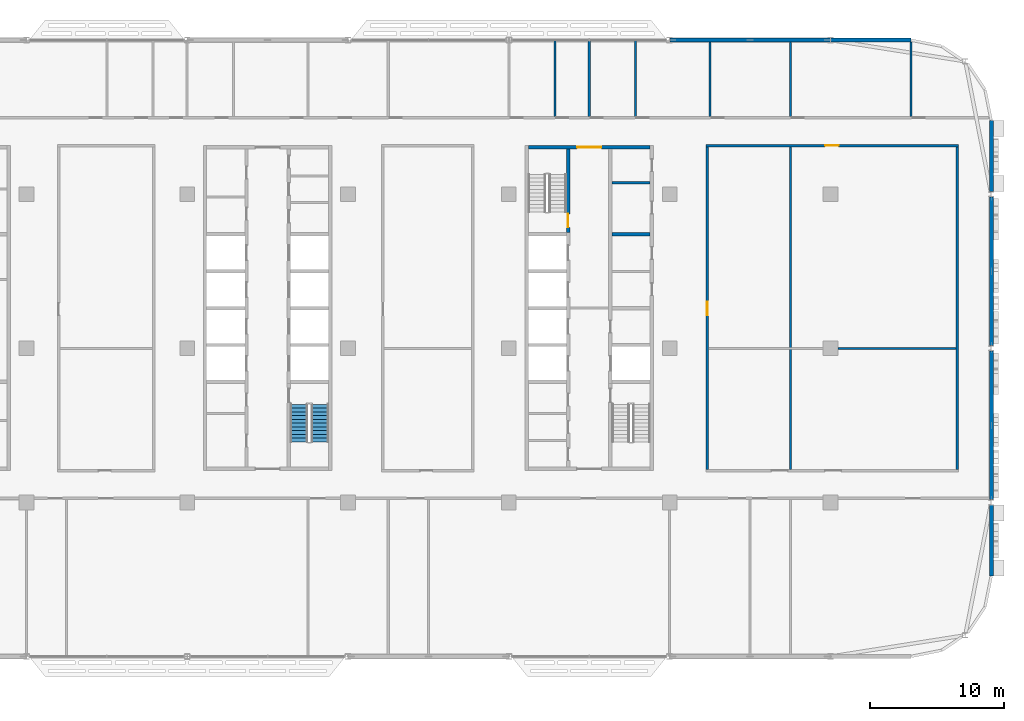
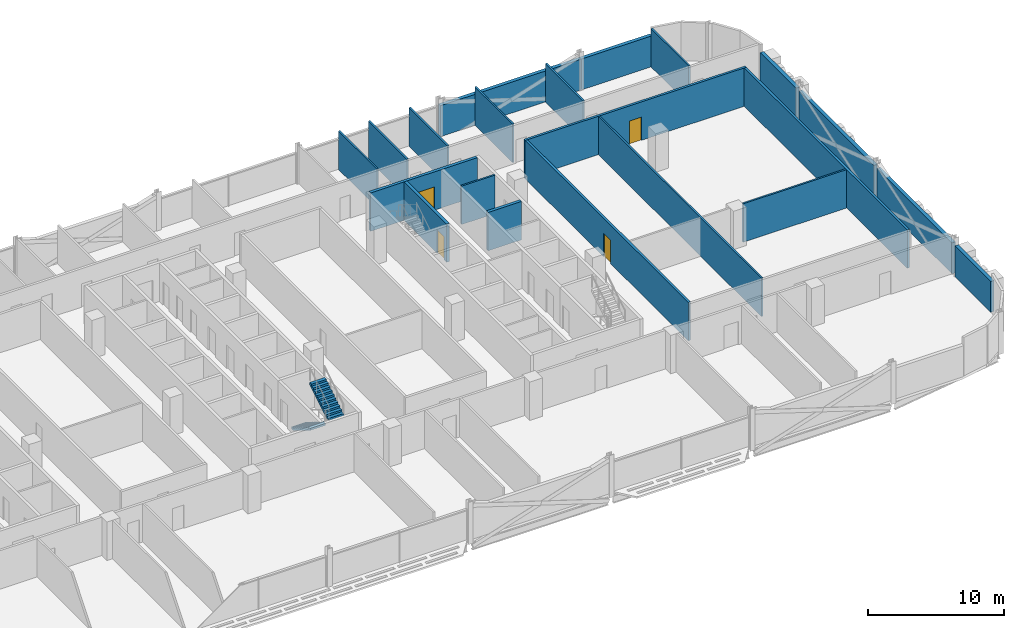
# One storey, part 18 of 30: 21 walls, 4 doors, 2 stair flights, 4 openings, 1 element without a shape of its own.
"""IFC4 building model written with IfcOpenShell, lengths in metres."""

from ifc_helpers import new_model, si_unit, direction, frame, frame_2d, origin, place, context, subcontext, project, spatial, polyline, rectangle, outline, extrude, material, layer, layer_set, type_object, element, fill, aggregate, save


model = new_model("IFC4")

# Units and contexts
model_context = context("Model", 3, precision=1e-05, world=origin(), true_north=direction((0.0, 1.0)))
body_context = subcontext(model_context, "Body", "Model", "MODEL_VIEW")
ifc_project = project(units=[si_unit("LENGTHUNIT", "METRE"), si_unit("AREAUNIT", "SQUARE_METRE"), si_unit("VOLUMEUNIT", "CUBIC_METRE"), si_unit("PLANEANGLEUNIT", "RADIAN"), si_unit("MASSUNIT", "GRAM", prefix="KILO")], contexts=[model_context])

# Site, building, storey
site_placement = place(None, origin())
site = spatial("IfcSite", under=ifc_project, at=site_placement, CompositionType="ELEMENT")
building_placement = place(site_placement, origin())
building = spatial("IfcBuilding", under=site, at=building_placement, Name="Mahtab Terrace Research Tower", CompositionType="ELEMENT")
storey_placement = place(building_placement, frame((0.0, 0.0, 216.699951171875)))
storey = spatial("IfcBuildingStorey", under=building, at=storey_placement, Name="L52", CompositionType="ELEMENT", Elevation=216.699951171875)

# Wall
ifc_material_1 = material(Name="Gypsum board partition")
ifc_layer_1 = layer(ifc_material_1, 0.14990234375)
ifc_layer_set_1 = layer_set([ifc_layer_1], Name="Core partition 150")
wall_type_1 = type_object("IfcWallType", Name="Core partition 150", PredefinedType="PARTITIONING", material=ifc_layer_set_1)
wall_1_placement = place(storey_placement, frame((25.699951171875, 12.35498046875, 0.0), z_axis=(0.0, 0.0, 1.0), x_axis=(1.0, 0.0, 0.0)))
element("IfcWall", 1, at=wall_1_placement, inside=storey, type_object=wall_type_1, Name="Core wall C pEN936", PredefinedType="PARTITIONING", context=body_context, shape_type="SweptSolid", body=[
    extrude(rectangle(XDim=2.85009765625, YDim=0.14990234375, at=frame_2d((1.425048828125, 0.0))), origin(), (0.0, 0.0, 1.0), 3.4599609375),
])

# Wall, opening, door
ifc_material_2 = material(Name="Concrete C70/85", Category="concrete")
ifc_layer_2 = layer(ifc_material_2, 0.25)
ifc_layer_set_2 = layer_set([ifc_layer_2], Name="Core wall 250")
wall_type_2 = type_object("IfcWallType", Name="Core wall 250", PredefinedType="SOLIDWALL", material=ifc_layer_set_2)
wall_2_placement = place(storey_placement, frame((19.449951171875, 15.0, 0.0), z_axis=(0.0, 0.0, 1.0), x_axis=(1.0, 0.0, 0.0)))
wall_2 = element("IfcWall", 2, at=wall_2_placement, inside=storey, type_object=wall_type_2, Name="Core wall C endN", PredefinedType="SOLIDWALL", context=body_context, shape_type="SweptSolid", body=[
    extrude(rectangle(XDim=9.10009765625, YDim=0.25, at=frame_2d((4.550048828125, 0.0))), origin(), (0.0, 0.0, 1.0), 3.4599609375),
])
opening_1_placement = place(wall_2_placement, frame((3.64990234375, 0.0, 0.0)))
opening_1 = element("IfcOpeningElement", 3, at=opening_1_placement, cuts=wall_2, Name="Opening C-N1", PredefinedType="OPENING", context=body_context, shape_type="SweptSolid", body=[
    extrude(rectangle(XDim=1.800048828125, YDim=2.10009765625, at=frame_2d((0.89990234375, 1.050048828125))), frame((0.0, 0.135009765625, 0.0), z_axis=(0.0, -1.0, 0.0), x_axis=(1.0, 0.0, 0.0)), (0.0, 0.0, 1.0), 0.27001953125),
])
ifc_material_3 = material(Name="Steel fire door", Category="steel")
door_type_1 = type_object("IfcDoorType", Name="Lobby double door 1800x2100 1 HR", OperationType="DOUBLE_DOOR_SINGLE_SWING", PredefinedType="DOOR", material=ifc_material_3)
door_1_placement = place(opening_1_placement, origin())
door_1 = element("IfcDoor", 4, at=door_1_placement, inside=storey, type_object=door_type_1, Name="Core entrance door C N", OperationType="DOUBLE_DOOR_SINGLE_SWING", OverallHeight=2.10009765625, OverallWidth=1.800048828125, PredefinedType="DOOR", context=body_context, shape_type="SweptSolid", body=[
    extrude(rectangle(XDim=1.800048828125, YDim=2.10009765625, at=frame_2d((0.89990234375, 1.050048828125))), frame((0.0, 0.02490234375, 0.0), z_axis=(0.0, -1.0, 0.0), x_axis=(1.0, 0.0, 0.0)), (0.0, 0.0, 1.0), 0.050048828125),
])
fill(opening_1, door_1)

wall_3_placement = place(storey_placement, frame((22.425048828125, 14.875, 0.0), z_axis=(0.0, 0.0, 1.0), x_axis=(0.0, -1.0, 0.0)))
wall_3 = element("IfcWall", 5, at=wall_3_placement, inside=storey, type_object=wall_type_2, Name="Core wall C innerWN", PredefinedType="SOLIDWALL", context=body_context, shape_type="SweptSolid", body=[
    extrude(rectangle(XDim=6.25, YDim=0.25, at=frame_2d((3.125, 0.0))), origin(), (0.0, 0.0, 1.0), 3.4599609375),
])
opening_2_placement = place(wall_3_placement, frame((4.85009765625, 0.0, 0.0)))
opening_2 = element("IfcOpeningElement", 6, at=opening_2_placement, cuts=wall_3, Name="Opening C-ST3", PredefinedType="OPENING", context=body_context, shape_type="SweptSolid", body=[
    extrude(rectangle(XDim=1.0, YDim=2.10009765625, at=frame_2d((0.5, 1.050048828125))), frame((0.0, 0.135009765625, 0.0), z_axis=(0.0, -1.0, 0.0), x_axis=(1.0, 0.0, 0.0)), (0.0, 0.0, 1.0), 0.27001953125),
])
door_type_2 = type_object("IfcDoorType", Name="Stair door 1000x2100 1.5 HR", OperationType="NOTDEFINED", PredefinedType="DOOR", material=ifc_material_3)
door_2_placement = place(opening_2_placement, origin())
door_2 = element("IfcDoor", 7, at=door_2_placement, inside=storey, type_object=door_type_2, Name="Stair door ST3 L52", OperationType="SINGLE_SWING_LEFT", OverallHeight=2.10009765625, OverallWidth=1.0, PredefinedType="DOOR", context=body_context, shape_type="SweptSolid", body=[
    extrude(rectangle(XDim=1.0, YDim=2.10009765625, at=frame_2d((0.5, 1.050048828125))), frame((0.0, 0.02490234375, 0.0), z_axis=(0.0, -1.0, 0.0), x_axis=(1.0, 0.0, 0.0)), (0.0, 0.0, 1.0), 0.050048828125),
])
fill(opening_2, door_2)

# Walls
wall_4_placement = place(storey_placement, frame((25.699951171875, 8.5, 0.0), z_axis=(0.0, 0.0, 1.0), x_axis=(1.0, 0.0, 0.0)))
element("IfcWall", 8, at=wall_4_placement, inside=storey, type_object=wall_type_2, Name="Core wall C divE4", PredefinedType="SOLIDWALL", context=body_context, shape_type="SweptSolid", body=[
    extrude(rectangle(XDim=2.85009765625, YDim=0.25, at=frame_2d((1.425048828125, 0.0))), origin(), (0.0, 0.0, 1.0), 3.4599609375),
])
ifc_material_4 = material(Name="Black aluminium cladding panel", Category="aluminium")
ifc_layer_3 = layer(ifc_material_4, 0.300048828125)
ifc_layer_set_3 = layer_set([ifc_layer_3], Name="Opaque facade wall 300")
wall_type_3 = type_object("IfcWallType", Name="Opaque facade wall 300", PredefinedType="NOTDEFINED", material=ifc_layer_set_3)
wall_5_placement = place(storey_placement, frame((48.0, 23.0, 0.0), z_axis=(0.0, 0.0, 1.0), x_axis=(-1.0, 0.0, 0.0)))
element("IfcWall", 9, at=wall_5_placement, inside=storey, type_object=wall_type_3, Name="Opaque facade wall L52 N3", PredefinedType="NOTDEFINED", context=body_context, shape_type="SweptSolid", body=[
    extrude(rectangle(XDim=5.987548828125, YDim=0.300048828125, at=frame_2d((2.99365234375, 0.0))), origin(), (0.0, 0.0, 1.0), 2.78173828125),
])
wall_6_placement = place(storey_placement, frame((41.987548828125, 23.0, 0.0), z_axis=(0.0, 0.0, 1.0), x_axis=(-1.0, 0.0, 0.0)))
element("IfcWall", 10, at=wall_6_placement, inside=storey, type_object=wall_type_3, Name="Opaque facade wall L52 N4", PredefinedType="NOTDEFINED", context=body_context, shape_type="SweptSolid", body=[
    extrude(rectangle(XDim=11.97509765625, YDim=0.300048828125, at=frame_2d((5.987548828125, 0.0))), origin(), (0.0, 0.0, 1.0), 2.78173828125),
])
wall_7_placement = place(storey_placement, frame((54.0, -17.0, 0.0), z_axis=(0.0, 0.0, 1.0), x_axis=(0.0, 1.0, 0.0)))
element("IfcWall", 11, at=wall_7_placement, inside=storey, type_object=wall_type_3, Name="Opaque facade wall L52 E35", PredefinedType="NOTDEFINED", context=body_context, shape_type="SweptSolid", body=[
    extrude(rectangle(XDim=5.300048828125, YDim=0.300048828125, at=frame_2d((2.64990234375, 0.0))), origin(), (0.0, 0.0, 1.0), 2.78173828125),
])
for number, where, z_axis, x_axis, name in (
    (12, (54.0, -11.300048828125, 0.0), (0.0, 0.0, 1.0), (0.0, 1.0, 0.0), "Opaque facade wall L52 E36"),
    (13, (54.0, 0.199951171875, 0.0), (0.0, 0.0, 1.0), (0.0, 1.0, 0.0), "Opaque facade wall L52 E37"),
):
    element("IfcWall", number, at=place(storey_placement, frame(where, z_axis=z_axis, x_axis=x_axis)), inside=storey, type_object=wall_type_3, Name=name, PredefinedType="NOTDEFINED", context=body_context, shape_type="SweptSolid", body=[
        extrude(rectangle(XDim=11.10009765625, YDim=0.300048828125, at=frame_2d((5.550048828125, 0.0))), origin(), (0.0, 0.0, 1.0), 2.78173828125),
    ])
wall_8_placement = place(storey_placement, frame((54.0, 11.699951171875, 0.0), z_axis=(0.0, 0.0, 1.0), x_axis=(0.0, 1.0, 0.0)))
element("IfcWall", 14, at=wall_8_placement, inside=storey, type_object=wall_type_3, Name="Opaque facade wall L52 E38", PredefinedType="NOTDEFINED", context=body_context, shape_type="SweptSolid", body=[
    extrude(rectangle(XDim=5.300048828125, YDim=0.300048828125, at=frame_2d((2.64990234375, 0.0))), origin(), (0.0, 0.0, 1.0), 2.78173828125),
])

# Wall, opening, door
ifc_material_5 = material(Name="Gypsum board corridor wall on steel studs", Category="steel")
ifc_layer_4 = layer(ifc_material_5, 0.199951171875)
ifc_layer_set_4 = layer_set([ifc_layer_4], Name="WALL CORRIDOR 200")
wall_type_4 = type_object("IfcWallType", Name="WALL CORRIDOR 200", PredefinedType="PARTITIONING", material=ifc_layer_set_4)
wall_9_placement = place(storey_placement, frame((32.699951171875, 15.125, 0.0), z_axis=(0.0, 0.0, 1.0), x_axis=(1.0, 0.0, 0.0)))
wall_9 = element("IfcWall", 15, at=wall_9_placement, inside=storey, type_object=wall_type_4, Name="L52-W021", PredefinedType="PARTITIONING", context=body_context, shape_type="SweptSolid", body=[
    extrude(rectangle(XDim=18.85009765625, YDim=0.199951171875, at=frame_2d((9.425048828125, 0.0))), origin(), (0.0, 0.0, 1.0), 3.4599609375),
])
opening_3_placement = place(wall_9_placement, frame((8.89990234375, 0.0, 0.0)))
opening_3 = element("IfcOpeningElement", 16, at=opening_3_placement, cuts=wall_9, Name="Opening L52-120", PredefinedType="OPENING", context=body_context, shape_type="SweptSolid", body=[
    extrude(rectangle(XDim=1.0, YDim=2.10009765625, at=frame_2d((0.5, 1.050048828125))), frame((0.0, 0.10986328125, 0.0), z_axis=(0.0, -1.0, 0.0), x_axis=(1.0, 0.0, 0.0)), (0.0, 0.0, 1.0), 0.219970703125),
])
ifc_material_6 = material(Name="Timber door leaf in steel frame", Category="steel")
door_type_3 = type_object("IfcDoorType", Name="DOOR 1000X2100 FD30S", OperationType="SINGLE_SWING_LEFT", PredefinedType="DOOR", material=ifc_material_6)
door_3_placement = place(opening_3_placement, origin())
door_3 = element("IfcDoor", 17, at=door_3_placement, inside=storey, type_object=door_type_3, Name="Door L52-120", OperationType="SINGLE_SWING_RIGHT", OverallHeight=2.10009765625, OverallWidth=1.0, PredefinedType="DOOR", context=body_context, shape_type="SweptSolid", body=[
    extrude(rectangle(XDim=1.0, YDim=2.10009765625, at=frame_2d((0.5, 1.050048828125))), frame((0.0, 0.02490234375, 0.0), z_axis=(0.0, -1.0, 0.0), x_axis=(1.0, 0.0, 0.0)), (0.0, 0.0, 1.0), 0.050048828125),
])
fill(opening_3, door_3)

wall_10_placement = place(storey_placement, frame((32.800048828125, -9.02490234375, 0.0), z_axis=(0.0, 0.0, 1.0), x_axis=(0.0, 1.0, 0.0)))
wall_10 = element("IfcWall", 18, at=wall_10_placement, inside=storey, type_object=wall_type_4, Name="L52-W049", PredefinedType="PARTITIONING", context=body_context, shape_type="SweptSolid", body=[
    extrude(rectangle(XDim=24.0498046875, YDim=0.199951171875, at=frame_2d((12.02490234375, 0.0))), origin(), (0.0, 0.0, 1.0), 3.4599609375),
])
opening_4_placement = place(wall_10_placement, frame((11.5, 0.0, 0.0)))
opening_4 = element("IfcOpeningElement", 19, at=opening_4_placement, cuts=wall_10, Name="Opening L52-119", PredefinedType="OPENING", context=body_context, shape_type="SweptSolid", body=[
    extrude(rectangle(XDim=1.0, YDim=2.10009765625, at=frame_2d((0.5, 1.050048828125))), frame((0.0, 0.10986328125, 0.0), z_axis=(0.0, -1.0, 0.0), x_axis=(1.0, 0.0, 0.0)), (0.0, 0.0, 1.0), 0.219970703125),
])
door_4_placement = place(opening_4_placement, origin())
door_4 = element("IfcDoor", 20, at=door_4_placement, inside=storey, type_object=door_type_3, Name="Door L52-119", OperationType="SINGLE_SWING_RIGHT", OverallHeight=2.10009765625, OverallWidth=1.0, PredefinedType="DOOR", context=body_context, shape_type="SweptSolid", body=[
    extrude(rectangle(XDim=1.0, YDim=2.10009765625, at=frame_2d((0.5, 1.050048828125))), frame((0.0, 0.02490234375, 0.0), z_axis=(0.0, -1.0, 0.0), x_axis=(1.0, 0.0, 0.0)), (0.0, 0.0, 1.0), 0.050048828125),
])
fill(opening_4, door_4)

# Walls
wall_11_placement = place(storey_placement, frame((51.449951171875, -9.02490234375, 0.0), z_axis=(0.0, 0.0, 1.0), x_axis=(0.0, 1.0, 0.0)))
element("IfcWall", 21, at=wall_11_placement, inside=storey, type_object=wall_type_4, Name="L52-W056", PredefinedType="PARTITIONING", context=body_context, shape_type="SweptSolid", body=[
    extrude(rectangle(XDim=24.0498046875, YDim=0.199951171875, at=frame_2d((12.02490234375, 0.0))), origin(), (0.0, 0.0, 1.0), 3.4599609375),
])
ifc_material_7 = material(Name="Gypsum board partition on steel studs", Category="steel")
ifc_layer_5 = layer(ifc_material_7, 0.14990234375)
ifc_layer_set_5 = layer_set([ifc_layer_5], Name="WALL PARTITION 150")
wall_type_5 = type_object("IfcWallType", Name="WALL PARTITION 150", PredefinedType="PARTITIONING", material=ifc_layer_set_5)
wall_12_placement = place(storey_placement, frame((42.550048828125, 0.0, 0.0), z_axis=(0.0, 0.0, 1.0), x_axis=(1.0, 0.0, 0.0)))
element("IfcWall", 22, at=wall_12_placement, inside=storey, type_object=wall_type_5, Name="L52-W017", PredefinedType="PARTITIONING", context=body_context, shape_type="SweptSolid", body=[
    extrude(rectangle(XDim=8.800048828125, YDim=0.14990234375, at=frame_2d((4.39990234375, 0.0))), origin(), (0.0, 0.0, 1.0), 3.4599609375),
])
for number, where, z_axis, x_axis, name in (
    (23, (21.449951171875, 17.300048828125, 0.0), (0.0, 0.0, 1.0), (0.0, 1.0, 0.0), "L52-W045"),
    (24, (24.0, 17.300048828125, 0.0), (0.0, 0.0, 1.0), (0.0, 1.0, 0.0), "L52-W046"),
    (25, (27.449951171875, 17.300048828125, 0.0), (0.0, 0.0, 1.0), (0.0, 1.0, 0.0), "L52-W047"),
):
    element("IfcWall", number, at=place(storey_placement, frame(where, z_axis=z_axis, x_axis=x_axis)), inside=storey, type_object=wall_type_5, Name=name, PredefinedType="PARTITIONING", context=body_context, shape_type="SweptSolid", body=[
        extrude(rectangle(XDim=5.675048828125, YDim=0.14990234375, at=frame_2d((2.83740234375, 0.0))), origin(), (0.0, 0.0, 1.0), 3.4599609375),
    ])
wall_13_placement = place(storey_placement, frame((33.0, 17.300048828125, 0.0), z_axis=(0.0, 0.0, 1.0), x_axis=(0.0, 1.0, 0.0)))
element("IfcWall", 26, at=wall_13_placement, inside=storey, type_object=wall_type_5, Name="L52-W050", PredefinedType="PARTITIONING", context=body_context, shape_type="SweptSolid", body=[
    extrude(rectangle(XDim=5.550048828125, YDim=0.14990234375, at=frame_2d((2.77490234375, 0.0))), origin(), (0.0, 0.0, 1.0), 3.4599609375),
])
wall_14_placement = place(storey_placement, frame((39.0, -9.02490234375, 0.0), z_axis=(0.0, 0.0, 1.0), x_axis=(0.0, 1.0, 0.0)))
element("IfcWall", 27, at=wall_14_placement, inside=storey, type_object=wall_type_5, Name="L52-W053", PredefinedType="PARTITIONING", context=body_context, shape_type="SweptSolid", body=[
    extrude(rectangle(XDim=24.0498046875, YDim=0.14990234375, at=frame_2d((12.02490234375, 0.0))), origin(), (0.0, 0.0, 1.0), 3.4599609375),
])
wall_15_placement = place(storey_placement, frame((39.0, 17.300048828125, 0.0), z_axis=(0.0, 0.0, 1.0), x_axis=(0.0, 1.0, 0.0)))
element("IfcWall", 28, at=wall_15_placement, inside=storey, type_object=wall_type_5, Name="L52-W054", PredefinedType="PARTITIONING", context=body_context, shape_type="SweptSolid", body=[
    extrude(rectangle(XDim=5.550048828125, YDim=0.14990234375, at=frame_2d((2.77490234375, 0.0))), origin(), (0.0, 0.0, 1.0), 3.4599609375),
])
wall_16_placement = place(storey_placement, frame((48.0, 17.300048828125, 0.0), z_axis=(0.0, 0.0, 1.0), x_axis=(0.0, 1.0, 0.0)))
element("IfcWall", 29, at=wall_16_placement, inside=storey, type_object=wall_type_5, Name="L52-W055", PredefinedType="PARTITIONING", context=body_context, shape_type="SweptSolid", body=[
    extrude(rectangle(XDim=5.547119140625, YDim=0.14990234375, at=frame_2d((2.7734375, 0.0))), origin(), (0.0, 0.0, 1.0), 3.4599609375),
])

# Stair, stair flights
ifc_material_8 = material(Name="Exit stair half-turn")
stair_type = type_object("IfcStairType", Name="Exit stair half-turn", PredefinedType="HALF_TURN_STAIR", material=ifc_material_8)
stair_placement = place(storey_placement, origin())
stair = element("IfcStair", 30, at=stair_placement, inside=storey, type_object=stair_type, Name="L52 Protected exit stair ST2", PredefinedType="HALF_TURN_STAIR")
ifc_material_9 = material(Name="Concrete C40/50", Category="concrete")
stair_flight_type = type_object("IfcStairFlightType", Name="Exit stair flight 1300", PredefinedType="STRAIGHT", material=ifc_material_9)
stair_flight_1_placement = place(storey_placement, frame((2.35009765625, -4.175048828125, 0.0), z_axis=(0.0, 0.0, 1.0), x_axis=(0.0, -1.0, 0.0)))
stair_flight_1 = element("IfcStairFlight", 31, at=stair_flight_1_placement, type_object=stair_flight_type, Name="ST2 flight 1", NumberOfRisers=11, NumberOfTreads=10, PredefinedType="STRAIGHT", RiserHeight=0.172727273, TreadLength=0.28, context=body_context, shape_type="SweptSolid", body=[
    extrude(outline(polyline([(0.0, 0.0), (0.0, 0.172607421875), (0.280029296875, 0.172607421875), (0.280029296875, 0.345458984375), (0.56005859375, 0.345458984375), (0.56005859375, 0.51806640625), (0.840087890625, 0.51806640625), (0.840087890625, 0.69091796875), (1.1201171875, 0.69091796875), (1.1201171875, 0.863525390625), (1.39990234375, 0.863525390625), (1.39990234375, 1.036376953125), (1.679931640625, 1.036376953125), (1.679931640625, 1.208984375), (1.9599609375, 1.208984375), (1.9599609375, 1.3818359375), (2.239990234375, 1.3818359375), (2.239990234375, 1.554443359375), (2.52001953125, 1.554443359375), (2.52001953125, 1.727294921875), (2.800048828125, 1.727294921875), (2.800048828125, 1.89990234375), (2.800048828125, 1.551025390625), (0.285400390625, 0.0), (0.0, 0.0)])), frame((0.0, 0.64990234375, 0.0), z_axis=(0.0, -1.0, 0.0), x_axis=(1.0, 0.0, 0.0)), (0.0, 0.0, 1.0), 1.300048828125),
])
stair_flight_2_placement = place(storey_placement, frame((3.89990234375, -6.97509765625, 1.900146484375), z_axis=(0.0, 0.0, 1.0), x_axis=(0.0, 1.0, 0.0)))
stair_flight_2 = element("IfcStairFlight", 32, at=stair_flight_2_placement, type_object=stair_flight_type, Name="ST2 flight 2", NumberOfRisers=11, NumberOfTreads=10, PredefinedType="STRAIGHT", RiserHeight=0.172727273, TreadLength=0.28, context=body_context, shape_type="SweptSolid", body=[
    extrude(outline(polyline([(0.0, 0.0), (0.0, 0.172607421875), (0.280029296875, 0.172607421875), (0.280029296875, 0.345458984375), (0.56005859375, 0.345458984375), (0.56005859375, 0.51806640625), (0.840087890625, 0.51806640625), (0.840087890625, 0.69091796875), (1.1201171875, 0.69091796875), (1.1201171875, 0.863525390625), (1.39990234375, 0.863525390625), (1.39990234375, 1.036376953125), (1.679931640625, 1.036376953125), (1.679931640625, 1.208984375), (1.9599609375, 1.208984375), (1.9599609375, 1.3818359375), (2.239990234375, 1.3818359375), (2.239990234375, 1.554443359375), (2.52001953125, 1.554443359375), (2.52001953125, 1.727294921875), (2.800048828125, 1.727294921875), (2.800048828125, 1.89990234375), (2.800048828125, 1.551025390625), (0.285400390625, 0.0), (0.0, 0.0)])), frame((0.0, 0.64990234375, 0.0), z_axis=(0.0, -1.0, 0.0), x_axis=(1.0, 0.0, 0.0)), (0.0, 0.0, 1.0), 1.300048828125),
])
aggregate(stair, [stair_flight_1, stair_flight_2])

save(model, "model.ifc")
